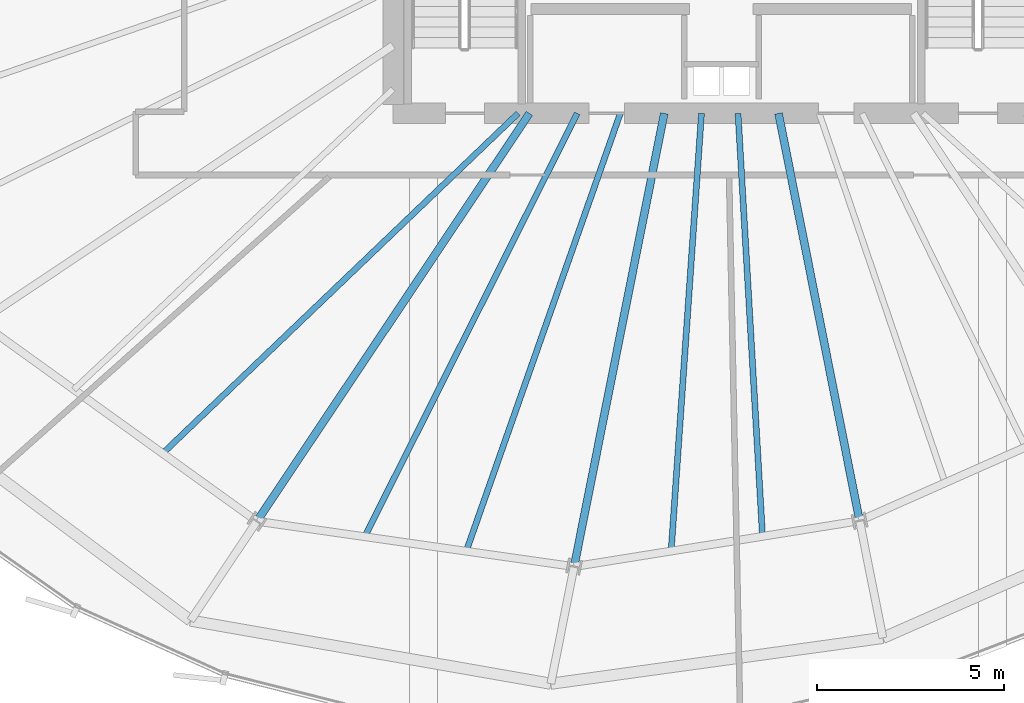
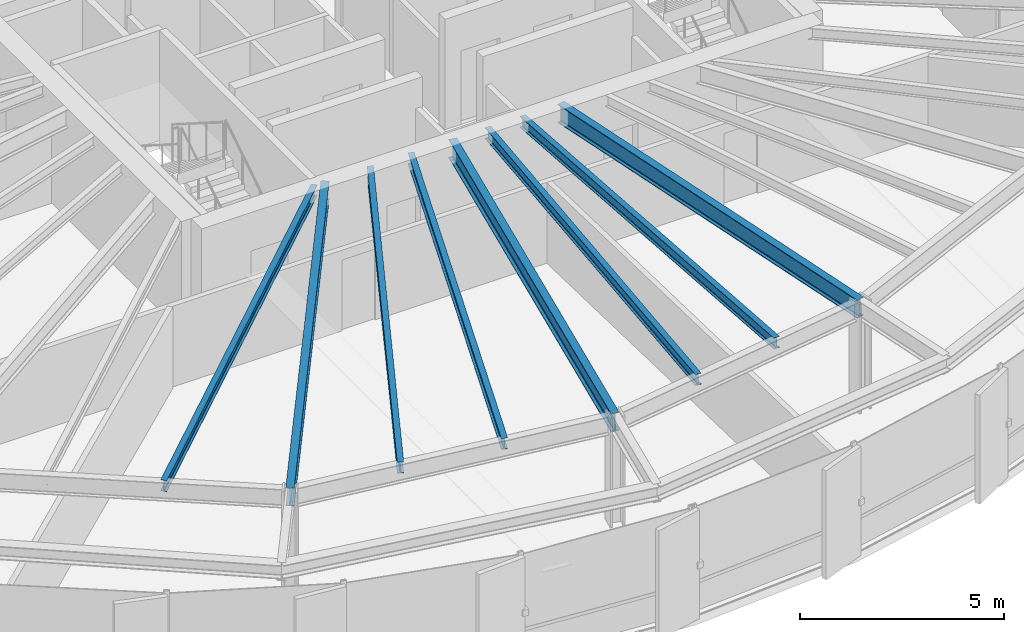
# One storey, part 7 of 35: 8 beams.
"""IFC4 building model written with IfcOpenShell, lengths in metres."""

from ifc_helpers import new_model, si_unit, direction, frame, origin, origin_2d, place, context, subcontext, project, spatial, i_section, extrude, source, transform, mapped, material, material_profile, profile_set, type_object, element, save


model = new_model("IFC4")

# Units and contexts
model_context = context("Model", 3, precision=1e-05, world=origin(), true_north=direction((0.0, 1.0)))
body_context = subcontext(model_context, "Body", "Model", "MODEL_VIEW")
ifc_project = project(units=[si_unit("LENGTHUNIT", "METRE"), si_unit("AREAUNIT", "SQUARE_METRE"), si_unit("VOLUMEUNIT", "CUBIC_METRE"), si_unit("PLANEANGLEUNIT", "RADIAN"), si_unit("MASSUNIT", "GRAM", prefix="KILO"), si_unit("THERMODYNAMICTEMPERATUREUNIT", "KELVIN")], contexts=[model_context])

# Site, building, storey
site_placement = place(None, origin())
site = spatial("IfcSite", under=ifc_project, at=site_placement, CompositionType="ELEMENT")
building_placement = place(site_placement, origin())
building = spatial("IfcBuilding", under=site, at=building_placement, Name="Kethvar Cultural Tower", CompositionType="ELEMENT")
storey_placement = place(building_placement, frame((0.0, 0.0, 135.89990234375)))
storey = spatial("IfcBuildingStorey", under=building, at=storey_placement, Name="L34", CompositionType="ELEMENT", Elevation=135.89990234375)

# Beams
ifc_material = material(Name="Steel S355J2", Category="steel")
ifc_material_profile_1 = material_profile(ifc_material, i_section(OverallWidth=0.2099609375, OverallDepth=0.550048828125, WebThickness=0.010986328125, FlangeThickness=0.01708984375, FilletRadius=0.02392578125, at=origin_2d()), Name="Steel S355J2 — IPE550")
ifc_profile_set_1 = profile_set([ifc_material_profile_1], Name="Steel S355J2 — IPE550")
beam_type_1 = type_object("IfcBeamType", Name="BM-IPE550", PredefinedType="BEAM", material=ifc_profile_set_1)
shared_shape_1 = source(origin(), body_context, "Body", "SweptSolid", [
    extrude(i_section(OverallWidth=0.2099609375, OverallDepth=0.550048828125, WebThickness=0.010986328125, FlangeThickness=0.01708984375, FilletRadius=0.02392578125, at=origin_2d()), origin(), (0.0, 0.0, 1.0), 13.147216796875),
])
beam_1_placement = place(storey_placement, frame((41.655029296875, 20.10009765625, 3.023193359375), z_axis=(-0.555565525446, -0.831472757783, 0.0), x_axis=(0.831472757783, -0.555565525446, 0.0)))
element("IfcBeam", 1, at=beam_1_placement, inside=storey, type_object=beam_type_1, Name="L34 Primary Radial Beam RB-11", PredefinedType="BEAM", context=body_context, shape_type="MappedRepresentation", body=[
    mapped(shared_shape_1, transform((0.0, 0.0, 0.0), scale=1.0)),
])
shared_shape_2 = source(origin(), body_context, "Body", "SweptSolid", [
    extrude(i_section(OverallWidth=0.2099609375, OverallDepth=0.550048828125, WebThickness=0.010986328125, FlangeThickness=0.01708984375, FilletRadius=0.02392578125, at=origin_2d()), origin(), (0.0, 0.0, 1.0), 12.384521484375),
])
beam_2_placement = place(storey_placement, frame((45.268310546875, 20.10009765625, 3.023193359375), z_axis=(-0.195084858678, -0.980786367113, 0.0), x_axis=(0.980786367113, -0.195084858678, 0.0)))
element("IfcBeam", 2, at=beam_2_placement, inside=storey, type_object=beam_type_1, Name="L34 Primary Radial Beam RB-12", PredefinedType="BEAM", context=body_context, shape_type="MappedRepresentation", body=[
    mapped(shared_shape_2, transform((0.0, 0.0, 0.0), scale=1.0)),
])
shared_shape_3 = source(origin(), body_context, "Body", "SweptSolid", [
    extrude(i_section(OverallWidth=0.2099609375, OverallDepth=0.550048828125, WebThickness=0.010986328125, FlangeThickness=0.01708984375, FilletRadius=0.02392578125, at=origin_2d()), origin(), (0.0, 0.0, 1.0), 11.131591796875),
])
beam_3_placement = place(storey_placement, frame((48.33154296875, 20.10009765625, 3.023193359375), z_axis=(0.195107998266, -0.980781764213, 0.0), x_axis=(0.980781764213, 0.195107998266, 0.0)))
element("IfcBeam", 3, at=beam_3_placement, inside=storey, type_object=beam_type_1, Name="L34 Primary Radial Beam RB-13", PredefinedType="BEAM", context=body_context, shape_type="MappedRepresentation", body=[
    mapped(shared_shape_3, transform((0.0, 0.0, 0.0), scale=1.0)),
])
ifc_material_profile_2 = material_profile(ifc_material, i_section(OverallWidth=0.159912109375, OverallDepth=0.330078125, WebThickness=0.007568359375, FlangeThickness=0.011474609375, FilletRadius=0.01806640625, at=origin_2d()), Name="Steel S355J2 — IPE330")
ifc_profile_set_2 = profile_set([ifc_material_profile_2], Name="Steel S355J2 — IPE330")
beam_type_2 = type_object("IfcBeamType", Name="BM-J330", PredefinedType="JOIST", material=ifc_profile_set_2)
shared_shape_4 = source(origin(), body_context, "Body", "SweptSolid", [
    extrude(i_section(OverallWidth=0.159912109375, OverallDepth=0.330078125, WebThickness=0.007568359375, FlangeThickness=0.011474609375, FilletRadius=0.01806640625, at=origin_2d()), origin(), (0.0, 0.0, 1.0), 13.1826171875),
])
beam_4_placement = place(storey_placement, frame((41.35009765625, 20.10009765625, 3.133056640625), z_axis=(-0.722573880181, -0.691293705801, 0.0), x_axis=(0.691293705801, -0.722573880181, 0.0)))
element("IfcBeam", 4, at=beam_4_placement, inside=storey, type_object=beam_type_2, Name="L34 Composite Floor Joist J-10B", PredefinedType="JOIST", context=body_context, shape_type="MappedRepresentation", body=[
    mapped(shared_shape_4, transform((0.0, 0.0, 0.0), scale=1.0)),
])
shared_shape_5 = source(origin(), body_context, "Body", "SweptSolid", [
    extrude(i_section(OverallWidth=0.159912109375, OverallDepth=0.330078125, WebThickness=0.007568359375, FlangeThickness=0.011474609375, FilletRadius=0.01806640625, at=origin_2d()), origin(), (0.0, 0.0, 1.0), 12.693603515625),
])
beam_5_placement = place(storey_placement, frame((42.935302734375, 20.10009765625, 3.133056640625), z_axis=(-0.448582495233, -0.893741430712, 0.0), x_axis=(0.893741430712, -0.448582495233, 0.0)))
element("IfcBeam", 5, at=beam_5_placement, inside=storey, type_object=beam_type_2, Name="L34 Composite Floor Joist J-11A", PredefinedType="JOIST", context=body_context, shape_type="MappedRepresentation", body=[
    mapped(shared_shape_5, transform((0.0, 0.0, 0.0), scale=1.0)),
])
shared_shape_6 = source(origin(), body_context, "Body", "SweptSolid", [
    extrude(i_section(OverallWidth=0.159912109375, OverallDepth=0.330078125, WebThickness=0.007568359375, FlangeThickness=0.011474609375, FilletRadius=0.01806640625, at=origin_2d()), origin(), (0.0, 0.0, 1.0), 12.4384765625),
])
beam_6_placement = place(storey_placement, frame((44.090576171875, 20.10009765625, 3.133056640625), z_axis=(-0.331923676994, -0.943306245421, 0.0), x_axis=(0.943306245421, -0.331923676994, 0.0)))
element("IfcBeam", 6, at=beam_6_placement, inside=storey, type_object=beam_type_2, Name="L34 Composite Floor Joist J-11B", PredefinedType="JOIST", context=body_context, shape_type="MappedRepresentation", body=[
    mapped(shared_shape_6, transform((0.0, 0.0, 0.0), scale=1.0)),
])
shared_shape_7 = source(origin(), body_context, "Body", "SweptSolid", [
    extrude(i_section(OverallWidth=0.159912109375, OverallDepth=0.330078125, WebThickness=0.007568359375, FlangeThickness=0.011474609375, FilletRadius=0.01806640625, at=origin_2d()), origin(), (0.0, 0.0, 1.0), 11.7568359375),
])
beam_7_placement = place(storey_placement, frame((46.266357421875, 20.10009765625, 3.133056640625), z_axis=(-0.069129203877, -0.997607715072, 0.0), x_axis=(0.997607715072, -0.069129203877, 0.0)))
element("IfcBeam", 7, at=beam_7_placement, inside=storey, type_object=beam_type_2, Name="L34 Composite Floor Joist J-12A", PredefinedType="JOIST", context=body_context, shape_type="MappedRepresentation", body=[
    mapped(shared_shape_7, transform((0.0, 0.0, 0.0), scale=1.0)),
])
shared_shape_8 = source(origin(), body_context, "Body", "SweptSolid", [
    extrude(i_section(OverallWidth=0.159912109375, OverallDepth=0.330078125, WebThickness=0.007568359375, FlangeThickness=0.011474609375, FilletRadius=0.01806640625, at=origin_2d()), origin(), (0.0, 0.0, 1.0), 11.354736328125),
])
beam_8_placement = place(storey_placement, frame((47.245849609375, 20.10009765625, 3.133056640625), z_axis=(0.057795585741, -0.998328438075, 0.0), x_axis=(0.998328438075, 0.057795585741, 0.0)))
element("IfcBeam", 8, at=beam_8_placement, inside=storey, type_object=beam_type_2, Name="L34 Composite Floor Joist J-12B", PredefinedType="JOIST", context=body_context, shape_type="MappedRepresentation", body=[
    mapped(shared_shape_8, transform((0.0, 0.0, 0.0), scale=1.0)),
])

save(model, "model.ifc")
